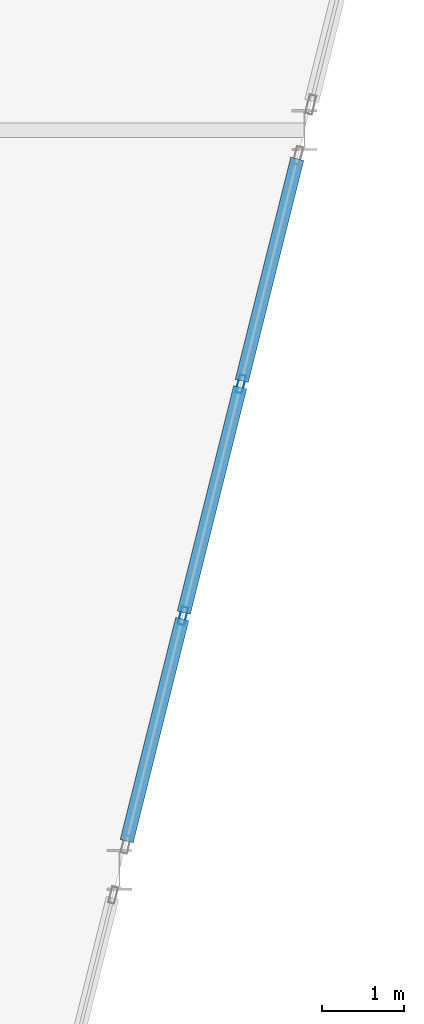
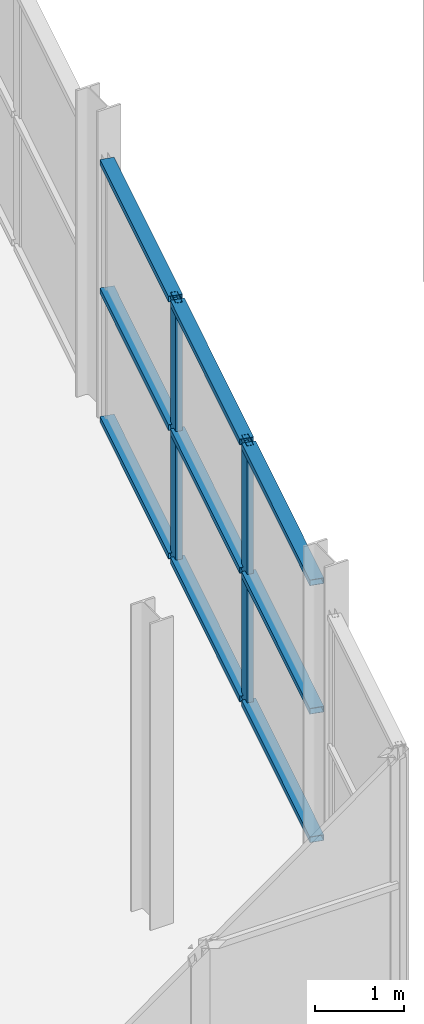
# One storey, part 49 of 132: 11 members, 1 element without a shape of its own.
"""IFC4 building model written with IfcOpenShell, lengths in metres."""

from ifc_helpers import new_model, si_unit, direction, frame, origin, origin_2d, place, context, subcontext, project, spatial, hollow_rectangle, extrude, material, layer, layer_set, material_profile, profile_set, type_object, element, aggregate, save


model = new_model("IFC4")

# Units and contexts
model_context = context("Model", 3, precision=1e-05, world=origin(), true_north=direction((0.0, 1.0)))
body_context = subcontext(model_context, "Body", "Model", "MODEL_VIEW")
ifc_project = project(units=[si_unit("LENGTHUNIT", "METRE"), si_unit("AREAUNIT", "SQUARE_METRE"), si_unit("VOLUMEUNIT", "CUBIC_METRE"), si_unit("PLANEANGLEUNIT", "RADIAN"), si_unit("MASSUNIT", "GRAM", prefix="KILO")], contexts=[model_context])

# Site, building, storey
site_placement = place(None, origin())
site = spatial("IfcSite", under=ifc_project, at=site_placement, CompositionType="ELEMENT")
building_placement = place(site_placement, origin())
building = spatial("IfcBuilding", under=site, at=building_placement, Name="Deido Ridge Mobility Hub", CompositionType="ELEMENT")
storey_placement = place(building_placement, frame((0.0, 0.0, 8.39990234375)))
storey = spatial("IfcBuildingStorey", under=building, at=storey_placement, Name="L02", CompositionType="ELEMENT", Elevation=8.39990234375)

# Curtain wall, members
ifc_material = material(Name="Anodised aluminium EN AW-6063 T6", Category="aluminium")
ifc_layer = layer(ifc_material, 0.239990234375, Name="Anodised aluminium EN AW-6063 T6")
ifc_layer_set = layer_set([ifc_layer], Name="Anodised aluminium EN AW-6063 T6")
curtain_wall_type = type_object("IfcCurtainWallType", Name="CW-UF-6", PredefinedType="USERDEFINED", material=ifc_layer_set)
curtain_wall_placement = place(storey_placement, origin())
curtain_wall = element("IfcCurtainWall", 1, at=curtain_wall_placement, inside=storey, type_object=curtain_wall_type, Name="Unitised curtain wall CW6", ObjectType="UNITISED FACADE", PredefinedType="USERDEFINED")
ifc_material_profile_1 = material_profile(ifc_material, hollow_rectangle(XDim=0.080078125, YDim=0.219970703125, WallThickness=0.00390625, at=origin_2d()), Name="RHS 80x220x4")
ifc_profile_set_1 = profile_set([ifc_material_profile_1], Name="Anodised aluminium EN AW-6063 T6")
member_type_1 = type_object("IfcMemberType", Name="MEM-MUL-80X220", PredefinedType="MULLION", material=ifc_profile_set_1)
member_1_placement = place(storey_placement, frame((48.0224609375, 57.090087890625, 0.0), z_axis=(0.0, 0.0, 1.0), x_axis=(-0.970139801497, 0.242546419373, 0.0)))
member_1 = element("IfcMember", 2, at=member_1_placement, type_object=member_type_1, Name="CW6 mullion 2", PredefinedType="MULLION", context=body_context, shape_type="SweptSolid", body=[
    extrude(hollow_rectangle(XDim=0.080078125, YDim=0.219970703125, WallThickness=0.00390625, at=origin_2d()), origin(), (0.0, 0.0, 1.0), 3.60009765625),
])
member_2_placement = place(storey_placement, frame((48.7275390625, 59.909912109375, 0.0), z_axis=(0.0, 0.0, 1.0), x_axis=(-0.970139801497, 0.242546419373, 0.0)))
member_2 = element("IfcMember", 3, at=member_2_placement, type_object=member_type_1, Name="CW6 mullion 3", PredefinedType="MULLION", context=body_context, shape_type="SweptSolid", body=[
    extrude(hollow_rectangle(XDim=0.080078125, YDim=0.219970703125, WallThickness=0.00390625, at=origin_2d()), origin(), (0.0, 0.0, 1.0), 3.60009765625),
])
ifc_material_profile_2 = material_profile(ifc_material, hollow_rectangle(XDim=0.1650390625, YDim=0.080078125, WallThickness=0.00390625, at=origin_2d()), Name="RHS 165x80x4")
ifc_profile_set_2 = profile_set([ifc_material_profile_2], Name="Anodised aluminium EN AW-6063 T6")
member_type_2 = type_object("IfcMemberType", Name="MEM-TRN-165X80", PredefinedType="USERDEFINED", material=ifc_profile_set_2)
member_3_placement = place(storey_placement, frame((47.3369140625, 54.34814453125, 0.0400390625), z_axis=(0.242597468268, 0.970127037243, 0.0), x_axis=(-0.970127037243, 0.242597468268, 0.0)))
member_3 = element("IfcMember", 4, at=member_3_placement, type_object=member_type_2, Name="CW6 transom 1.1", ObjectType="TRANSOM", PredefinedType="USERDEFINED", context=body_context, shape_type="SweptSolid", body=[
    extrude(hollow_rectangle(XDim=0.1650390625, YDim=0.080078125, WallThickness=0.00390625, at=origin_2d()), origin(), (0.0, 0.0, 1.0), 2.78662109375),
])
member_4_placement = place(storey_placement, frame((47.3369140625, 54.34814453125, 1.800048828125), z_axis=(0.242597468268, 0.970127037243, 0.0), x_axis=(-0.970127037243, 0.242597468268, 0.0)))
member_4 = element("IfcMember", 5, at=member_4_placement, type_object=member_type_2, Name="CW6 transom 1.2", ObjectType="TRANSOM", PredefinedType="USERDEFINED", context=body_context, shape_type="SweptSolid", body=[
    extrude(hollow_rectangle(XDim=0.1650390625, YDim=0.080078125, WallThickness=0.00390625, at=origin_2d()), origin(), (0.0, 0.0, 1.0), 2.78662109375),
])
member_5_placement = place(storey_placement, frame((47.3369140625, 54.34814453125, 3.56005859375), z_axis=(0.242597468268, 0.970127037243, 0.0), x_axis=(-0.970127037243, 0.242597468268, 0.0)))
member_5 = element("IfcMember", 6, at=member_5_placement, type_object=member_type_2, Name="CW6 transom 1.3", ObjectType="TRANSOM", PredefinedType="USERDEFINED", context=body_context, shape_type="SweptSolid", body=[
    extrude(hollow_rectangle(XDim=0.1650390625, YDim=0.080078125, WallThickness=0.00390625, at=origin_2d()), origin(), (0.0, 0.0, 1.0), 2.78662109375),
])
member_6_placement = place(storey_placement, frame((48.0322265625, 57.12890625, 0.0400390625), z_axis=(0.242535625036, 0.970142500145, 0.0), x_axis=(-0.970142500145, 0.242535625036, 0.0)))
member_6 = element("IfcMember", 7, at=member_6_placement, type_object=member_type_2, Name="CW6 transom 2.1", ObjectType="TRANSOM", PredefinedType="USERDEFINED", context=body_context, shape_type="SweptSolid", body=[
    extrude(hollow_rectangle(XDim=0.1650390625, YDim=0.080078125, WallThickness=0.00390625, at=origin_2d()), origin(), (0.0, 0.0, 1.0), 2.82666015625),
])
member_7_placement = place(storey_placement, frame((48.0322265625, 57.12890625, 1.800048828125), z_axis=(0.242535625036, 0.970142500145, 0.0), x_axis=(-0.970142500145, 0.242535625036, 0.0)))
member_7 = element("IfcMember", 8, at=member_7_placement, type_object=member_type_2, Name="CW6 transom 2.2", ObjectType="TRANSOM", PredefinedType="USERDEFINED", context=body_context, shape_type="SweptSolid", body=[
    extrude(hollow_rectangle(XDim=0.1650390625, YDim=0.080078125, WallThickness=0.00390625, at=origin_2d()), origin(), (0.0, 0.0, 1.0), 2.82666015625),
])
member_8_placement = place(storey_placement, frame((48.0322265625, 57.12890625, 3.56005859375), z_axis=(0.242535625036, 0.970142500145, 0.0), x_axis=(-0.970142500145, 0.242535625036, 0.0)))
member_8 = element("IfcMember", 9, at=member_8_placement, type_object=member_type_2, Name="CW6 transom 2.3", ObjectType="TRANSOM", PredefinedType="USERDEFINED", context=body_context, shape_type="SweptSolid", body=[
    extrude(hollow_rectangle(XDim=0.1650390625, YDim=0.080078125, WallThickness=0.00390625, at=origin_2d()), origin(), (0.0, 0.0, 1.0), 2.82666015625),
])
member_9_placement = place(storey_placement, frame((48.737060546875, 59.948486328125, 0.0400390625), z_axis=(0.242597468268, 0.970127037243, 0.0), x_axis=(-0.970127037243, 0.242597468268, 0.0)))
member_9 = element("IfcMember", 10, at=member_9_placement, type_object=member_type_2, Name="CW6 transom 3.1", ObjectType="TRANSOM", PredefinedType="USERDEFINED", context=body_context, shape_type="SweptSolid", body=[
    extrude(hollow_rectangle(XDim=0.1650390625, YDim=0.080078125, WallThickness=0.00390625, at=origin_2d()), origin(), (0.0, 0.0, 1.0), 2.78662109375),
])
member_10_placement = place(storey_placement, frame((48.737060546875, 59.948486328125, 1.800048828125), z_axis=(0.242597468268, 0.970127037243, 0.0), x_axis=(-0.970127037243, 0.242597468268, 0.0)))
member_10 = element("IfcMember", 11, at=member_10_placement, type_object=member_type_2, Name="CW6 transom 3.2", ObjectType="TRANSOM", PredefinedType="USERDEFINED", context=body_context, shape_type="SweptSolid", body=[
    extrude(hollow_rectangle(XDim=0.1650390625, YDim=0.080078125, WallThickness=0.00390625, at=origin_2d()), origin(), (0.0, 0.0, 1.0), 2.78662109375),
])
member_11_placement = place(storey_placement, frame((48.737060546875, 59.948486328125, 3.56005859375), z_axis=(0.242597468268, 0.970127037243, 0.0), x_axis=(-0.970127037243, 0.242597468268, 0.0)))
member_11 = element("IfcMember", 12, at=member_11_placement, type_object=member_type_2, Name="CW6 transom 3.3", ObjectType="TRANSOM", PredefinedType="USERDEFINED", context=body_context, shape_type="SweptSolid", body=[
    extrude(hollow_rectangle(XDim=0.1650390625, YDim=0.080078125, WallThickness=0.00390625, at=origin_2d()), origin(), (0.0, 0.0, 1.0), 2.78662109375),
])
aggregate(curtain_wall, [member_1, member_2, member_3, member_4, member_5, member_6, member_7, member_8, member_9, member_10, member_11])

save(model, "model.ifc")
